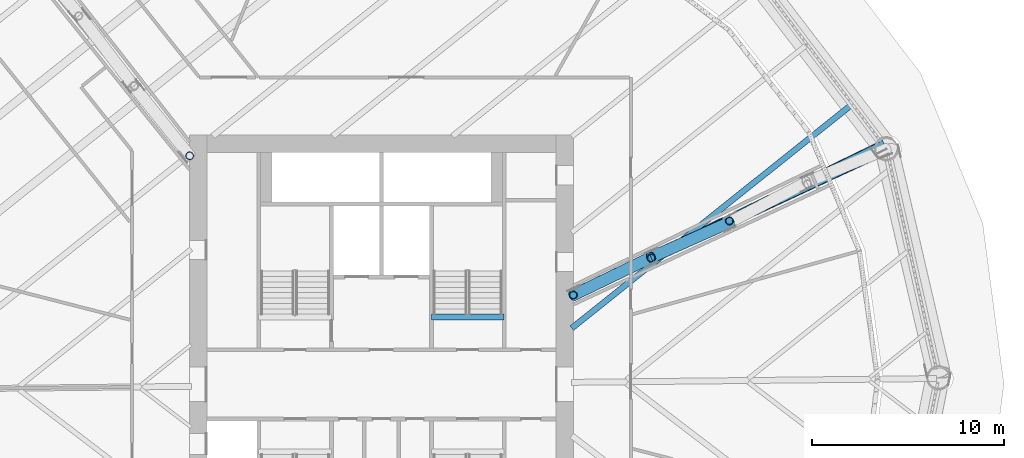
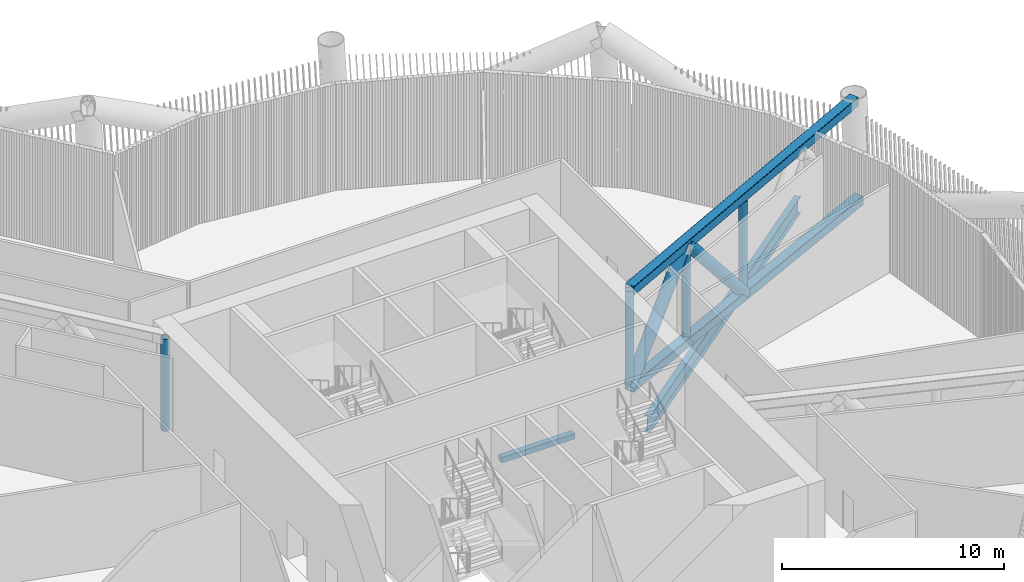
# One storey, part 7 of 48: 8 members, 2 beams.
"""IFC4 building model written with IfcOpenShell, lengths in metres."""

from ifc_helpers import new_model, si_unit, direction, frame, origin, origin_2d, place, context, subcontext, project, spatial, rectangle, hollow_rectangle, hollow_circle, i_section, extrude, material, material_profile, profile_set, type_object, element, save


model = new_model("IFC4")

# Units and contexts
model_context = context("Model", 3, precision=1e-05, world=origin(), true_north=direction((0.0, 1.0)))
body_context = subcontext(model_context, "Body", "Model", "MODEL_VIEW")
ifc_project = project(units=[si_unit("LENGTHUNIT", "METRE"), si_unit("AREAUNIT", "SQUARE_METRE"), si_unit("VOLUMEUNIT", "CUBIC_METRE"), si_unit("PLANEANGLEUNIT", "RADIAN"), si_unit("MASSUNIT", "GRAM", prefix="KILO")], contexts=[model_context])

# Site, building, storey
site_placement = place(None, origin())
site = spatial("IfcSite", under=ifc_project, at=site_placement, CompositionType="ELEMENT")
building_placement = place(site_placement, origin())
building = spatial("IfcBuilding", under=site, at=building_placement, Name="Tarsis Ring Headquarters", CompositionType="ELEMENT")
storey_placement = place(building_placement, frame((0.0, 0.0, 34.0)))
storey = spatial("IfcBuildingStorey", under=building, at=storey_placement, Name="L06", CompositionType="ELEMENT", Elevation=34.0)

# Beam
ifc_material_1 = material(Name="Structural steel S355", Category="steel")
ifc_material_profile_1 = material_profile(ifc_material_1, i_section(OverallWidth=0.3046875, OverallDepth=0.904296875, WebThickness=0.01513671875, FlangeThickness=0.02001953125, at=origin_2d()), Name="W36x135")
ifc_profile_set_1 = profile_set([ifc_material_profile_1], Name="Structural steel S355")
beam_type_1 = type_object("IfcBeamType", Name="FB Floor beam W36x135", PredefinedType="JOIST", material=ifc_profile_set_1)
beam_1_placement = place(storey_placement, frame((24.465576171875, 14.540283203125, -0.752197265625), z_axis=(-0.781519861751, -0.623880361679, 0.0), x_axis=(0.623880361679, -0.781519861751, 0.0)))
element("IfcBeam", 1, at=beam_1_placement, inside=storey, type_object=beam_type_1, Name="Floor beam FB8", PredefinedType="JOIST", context=body_context, shape_type="SweptSolid", body=[
    extrude(i_section(OverallWidth=0.3046875, OverallDepth=0.904296875, WebThickness=0.01513671875, FlangeThickness=0.02001953125, at=origin_2d()), origin(), (0.0, 0.0, 1.0), 18.609619140625),
])

# Members
ifc_material_profile_2 = material_profile(ifc_material_1, hollow_rectangle(XDim=0.508056640625, YDim=0.508056640625, WallThickness=0.025390625, InnerFilletRadius=0.025390625, OuterFilletRadius=0.05078125, at=origin_2d()), Name="HSS 508x508x25")
ifc_profile_set_2 = profile_set([ifc_material_profile_2], Name="Structural steel S355")
member_type_1 = type_object("IfcMemberType", Name="OC Outrigger chord HSS 508x508x25", PredefinedType="CHORD", material=ifc_profile_set_2)
member_1_placement = place(storey_placement, frame((10.0, 4.65625, 0.25390625), z_axis=(0.906543174733, 0.422113103736, 0.0), x_axis=(-0.422113103736, 0.906543174733, 0.0)))
element("IfcMember", 2, at=member_1_placement, inside=storey, type_object=member_type_1, Name="Outrigger chord OC1", PredefinedType="CHORD", context=body_context, shape_type="SweptSolid", body=[
    extrude(hollow_rectangle(XDim=0.508056640625, YDim=0.508056640625, WallThickness=0.025390625, InnerFilletRadius=0.025390625, OuterFilletRadius=0.05078125, at=origin_2d()), origin(), (0.0, 0.0, 1.0), 18.017578125),
])
member_2_placement = place(storey_placement, frame((10.0, 4.65625, 5.5859375), z_axis=(0.900111605462, 0.435659382674, 0.0), x_axis=(-0.435659382674, 0.900111605462, 0.0)))
element("IfcMember", 3, at=member_2_placement, inside=storey, type_object=member_type_1, Name="Outrigger chord OC1", PredefinedType="CHORD", context=body_context, shape_type="SweptSolid", body=[
    extrude(hollow_rectangle(XDim=0.508056640625, YDim=0.508056640625, WallThickness=0.025390625, InnerFilletRadius=0.025390625, OuterFilletRadius=0.05078125, at=origin_2d()), origin(), (0.0, 0.0, 1.0), 18.018310546875),
])
ifc_material_profile_3 = material_profile(ifc_material_1, hollow_circle(Radius=0.3046875, WallThickness=0.02490234375, at=origin_2d()), Name="CHS 610x25")
ifc_profile_set_3 = profile_set([ifc_material_profile_3], Name="Structural steel S355")
member_type_2 = type_object("IfcMemberType", Name="OD Outrigger diagonal CHS 610x25", PredefinedType="BRACE", material=ifc_profile_set_3)
member_3_placement = place(storey_placement, frame((10.0, 4.65625, 0.25390625), z_axis=(0.580890826831, 0.28114164656, 0.763888226034), x_axis=(-0.435643091473, 0.900119490319, 0.0)))
element("IfcMember", 4, at=member_3_placement, inside=storey, type_object=member_type_2, Name="Outrigger diagonal OD1", PredefinedType="BRACE", context=body_context, shape_type="SweptSolid", body=[
    extrude(hollow_circle(Radius=0.3046875, WallThickness=0.02490234375, at=origin_2d()), origin(), (0.0, 0.0, 1.0), 6.980224609375),
])
member_4_placement = place(storey_placement, frame((14.0546875, 6.61865234375, 5.5859375), z_axis=(0.589084021935, 0.263641593383, -0.763854125694), x_axis=(-0.408500332061, 0.912758170988, 0.0)))
element("IfcMember", 5, at=member_4_placement, inside=storey, type_object=member_type_2, Name="Outrigger diagonal OD1", PredefinedType="BRACE", context=body_context, shape_type="SweptSolid", body=[
    extrude(hollow_circle(Radius=0.3046875, WallThickness=0.02490234375, at=origin_2d()), origin(), (0.0, 0.0, 1.0), 6.98046875),
])
ifc_material_profile_4 = material_profile(ifc_material_1, hollow_circle(Radius=0.203125, WallThickness=0.01611328125, at=origin_2d()), Name="CHS 406x16")
ifc_profile_set_4 = profile_set([ifc_material_profile_4], Name="Structural steel S355")
member_type_3 = type_object("IfcMemberType", Name="OV Outrigger post CHS 406x16", PredefinedType="STRUT", material=ifc_profile_set_4)
for number, where, z_axis, x_axis, name in (
    (6, (-10.0, 11.915283203125, 0.508056640625), (0.0, 0.0, 1.0), (1.0, 0.0, 0.0), "Outrigger post OV1"),
    (7, (10.0, 4.65625, 0.508056640625), (0.0, 0.0, 1.0), (1.0, 0.0, 0.0), "Outrigger post OV1"),
):
    element("IfcMember", number, at=place(storey_placement, frame(where, z_axis=z_axis, x_axis=x_axis)), inside=storey, type_object=member_type_3, Name=name, PredefinedType="STRUT", context=body_context, shape_type="SweptSolid", body=[
        extrude(hollow_circle(Radius=0.203125, WallThickness=0.01611328125, at=origin_2d()), origin(), (0.0, 0.0, 1.0), 5.077880859375),
    ])
for number, where, z_axis, x_axis, name in (
    (8, (14.069091796875, 6.588134765625, 0.508056640625), (0.0, 0.0, 1.0), (1.0, 0.0, 0.0), "Outrigger post OV1"),
    (9, (18.137939453125, 8.52001953125, 0.508056640625), (0.0, 0.0, 1.0), (1.0, 0.0, 0.0), "Outrigger post OV1"),
):
    element("IfcMember", number, at=place(storey_placement, frame(where, z_axis=z_axis, x_axis=x_axis)), inside=storey, type_object=member_type_3, Name=name, PredefinedType="STRUT", context=body_context, shape_type="SweptSolid", body=[
        extrude(hollow_circle(Radius=0.203125, WallThickness=0.01611328125, at=origin_2d()), origin(), (0.0, 0.0, 1.0), 4.823974609375),
    ])

# Beam
ifc_material_2 = material(Name="Concrete C40/50", Category="concrete")
ifc_material_profile_5 = material_profile(ifc_material_2, rectangle(XDim=0.300048828125, YDim=0.300048828125, at=origin_2d()), Name="Stair head beam 300x300 C40/50")
ifc_profile_set_5 = profile_set([ifc_material_profile_5], Name="Concrete C40/50")
beam_type_2 = type_object("IfcBeamType", Name="Stair head beam 300x300 C40/50", PredefinedType="BEAM", material=ifc_profile_set_5)
beam_2_placement = place(storey_placement, frame((2.60009765625, 3.510009765625, -0.449951171875), z_axis=(1.0, 0.0, 0.0), x_axis=(0.0, 1.0, 0.0)))
element("IfcBeam", 10, at=beam_2_placement, inside=storey, type_object=beam_type_2, Name="Stair head beam L06 Exit stair B", PredefinedType="BEAM", context=body_context, shape_type="SweptSolid", body=[
    extrude(rectangle(XDim=0.300048828125, YDim=0.300048828125, at=origin_2d()), origin(), (0.0, 0.0, 1.0), 3.7998046875),
])

save(model, "model.ifc")
